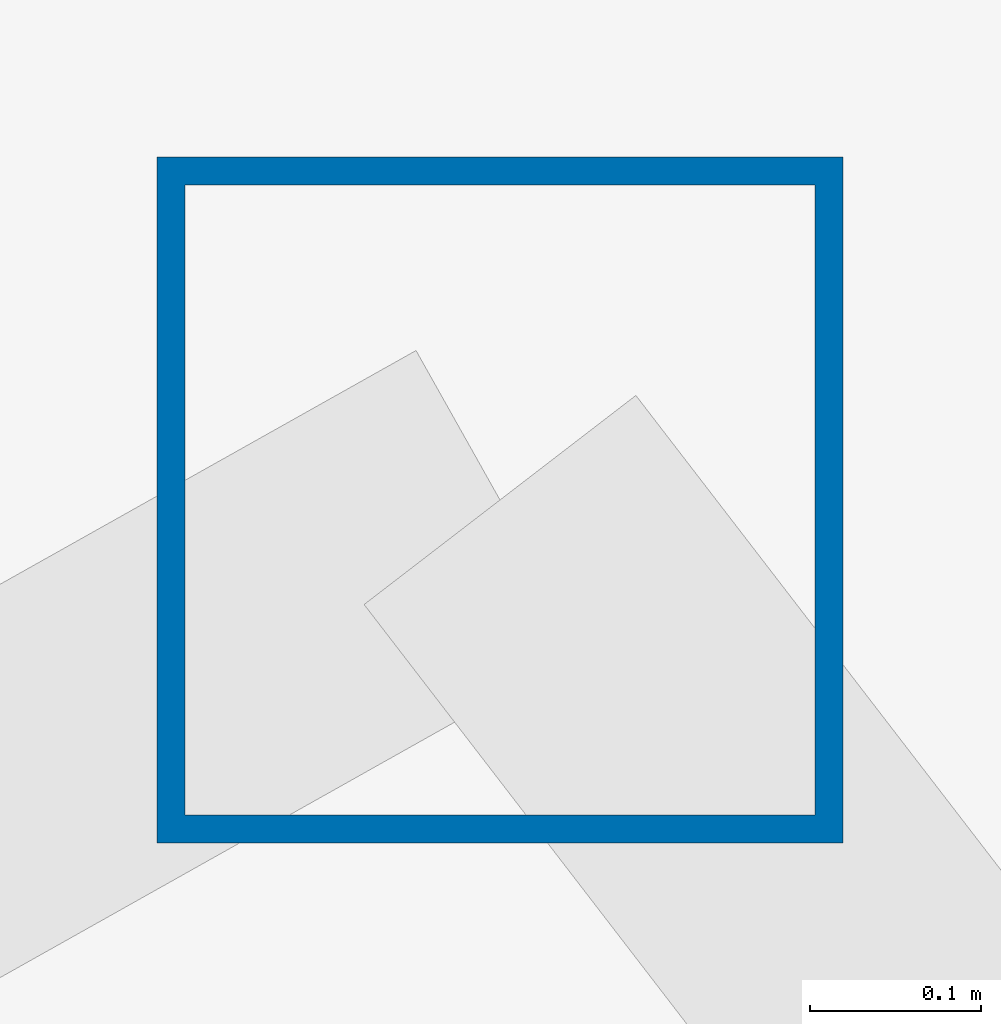
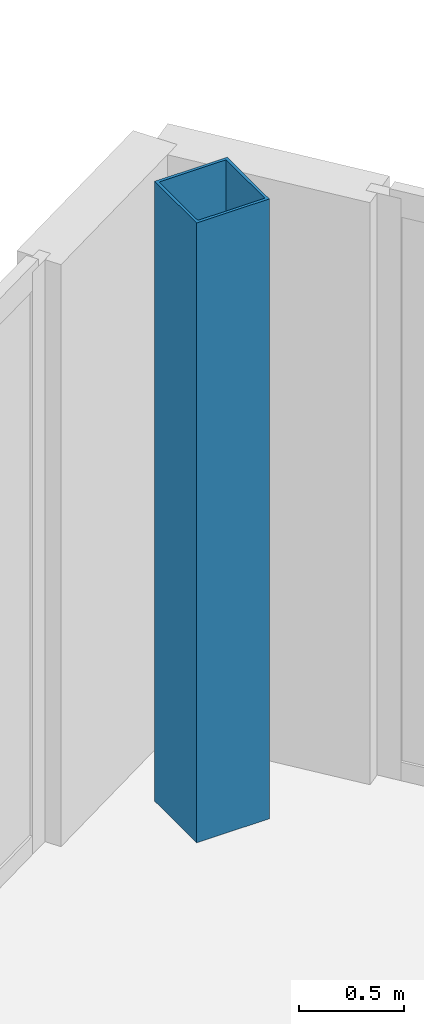
# One storey, part 2 of 25: 1 column.
"""IFC4 building model written with IfcOpenShell, lengths in metres."""

from ifc_helpers import new_model, si_unit, direction, frame, origin, origin_2d, place, context, subcontext, project, spatial, hollow_rectangle, extrude, source, transform, mapped, material, material_profile, profile_set, type_object, type_shapes, element, save


model = new_model("IFC4")

# Units and contexts
model_context = context("Model", 3, precision=1e-05, world=origin(), true_north=direction((0.0, 1.0)))
body_context = subcontext(model_context, "Body", "Model", "MODEL_VIEW")
ifc_project = project(units=[si_unit("LENGTHUNIT", "METRE"), si_unit("AREAUNIT", "SQUARE_METRE"), si_unit("VOLUMEUNIT", "CUBIC_METRE"), si_unit("PLANEANGLEUNIT", "RADIAN"), si_unit("MASSUNIT", "GRAM", prefix="KILO")], contexts=[model_context])

# Site, building, storey
site_placement = place(None, origin())
site = spatial("IfcSite", under=ifc_project, at=site_placement, CompositionType="ELEMENT")
building_placement = place(site_placement, origin())
building = spatial("IfcBuilding", under=site, at=building_placement, Name="Seokmaru Belvedere", CompositionType="ELEMENT")
storey_placement = place(building_placement, frame((0.0, 0.0, 206.699951171875)))
storey = spatial("IfcBuildingStorey", under=building, at=storey_placement, Name="L55", CompositionType="ELEMENT", Elevation=206.699951171875)

# Column
ifc_material = material(Name="Steel SM355 (355 MPa)", Category="steel")
ifc_material_profile = material_profile(ifc_material, hollow_rectangle(XDim=0.39990234375, YDim=0.39990234375, WallThickness=0.01611328125, at=origin_2d()), Name="HSS-400x400x16")
ifc_profile_set = profile_set([ifc_material_profile], Name="Steel SM355 (355 MPa)")
column_type = type_object("IfcColumnType", Name="Perimeter Facet Column HSS-400", PredefinedType="COLUMN", material=ifc_profile_set)
shared_shape = source(origin(), body_context, "Body", "SweptSolid", [
    extrude(hollow_rectangle(XDim=0.39990234375, YDim=0.39990234375, WallThickness=0.01611328125, at=origin_2d()), origin(), (0.0, 0.0, 1.0), 3.60009765625),
])
type_shapes(column_type, [shared_shape])
column_placement = place(storey_placement, frame((-32.649658203125, 21.71044921875, 0.0), z_axis=(0.0, 0.0, 1.0), x_axis=(1.0, 0.0, 0.0)))
element("IfcColumn", 1, at=column_placement, inside=storey, type_object=column_type, Name="L55 Column WF3", PredefinedType="COLUMN", context=body_context, shape_type="MappedRepresentation", body=[
    mapped(shared_shape, transform((0.0, 0.0, 0.0), scale=1.0)),
])

save(model, "model.ifc")
